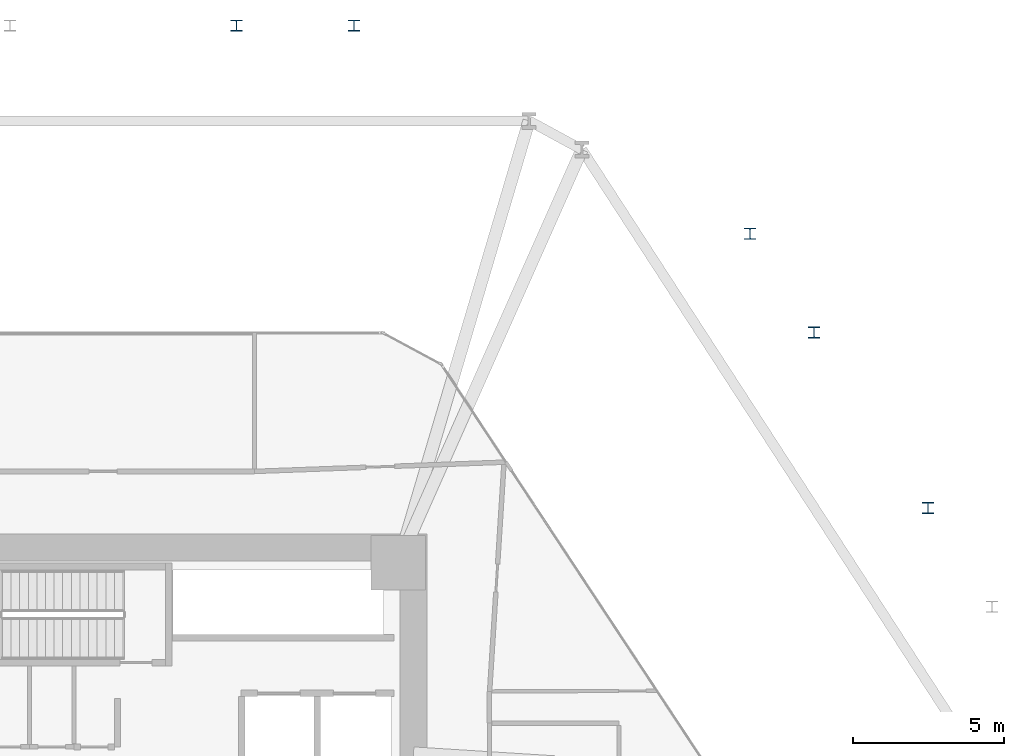
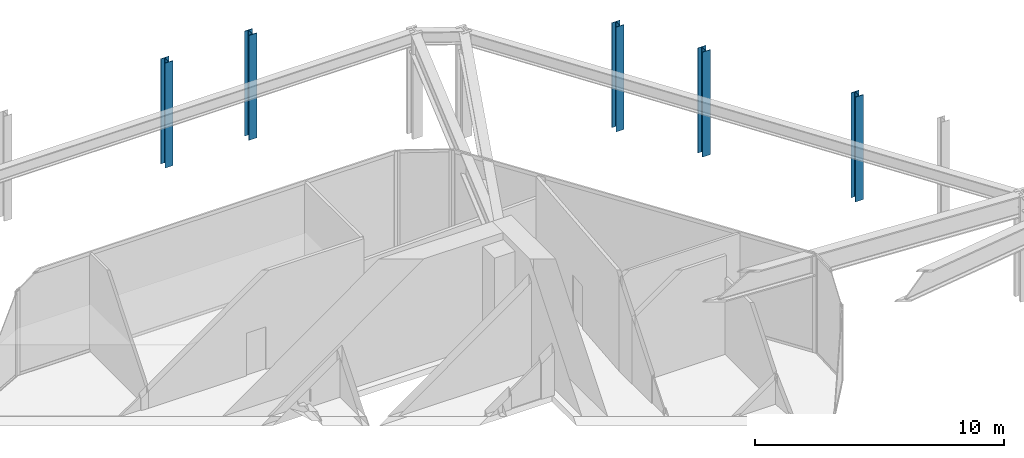
# One storey, part 4 of 16: 5 columns.
"""IFC4 building model written with IfcOpenShell, lengths in metres."""

import ifcopenshell
import ifcopenshell.guid

model = None  # the IFC model being written
_history = None  # IfcOwnerHistory: only IFC2X3 demands one
_inside = {}  # id of a spatial element -> (the spatial element, [elements in it])
_under = {}  # id of a project, library or spatial element -> (it, [spatial elements below it])
_declared = {}  # id of a project -> (the project, [libraries it declares])
_typed = {}  # id of a type object -> (the type object, [elements of that type])
_made_of = {}  # id of a material, layer set ... -> (it, [elements and type objects made of it])


def new_model(schema):
    """Start an empty IFC model of exactly this schema.

    Asked for "IFC4X3", IfcOpenShell would pick the latest addendum, in which some entities
    have other attributes; the version numbers below select the first issue.
    IFC2X3 requires an IfcOwnerHistory on every rooted entity: one is made here for all.
    """
    global model, _history
    if schema == "IFC4X3":
        model = ifcopenshell.file(schema_version=(4, 3, 0, 0))
    else:
        model = ifcopenshell.file(schema=schema)
    _inside.clear()
    _under.clear()
    _declared.clear()
    _typed.clear()
    _made_of.clear()
    _history = None
    if model.schema == "IFC2X3":
        org = make("IfcOrganization", Name="unknown")
        user = make(
            "IfcPersonAndOrganization",
            ThePerson=make("IfcPerson", FamilyName="unknown"),
            TheOrganization=org,
        )
        app = make(
            "IfcApplication",
            ApplicationDeveloper=org,
            Version="unknown",
            ApplicationFullName="unknown",
            ApplicationIdentifier="unknown",
        )
        _history = make(
            "IfcOwnerHistory",
            OwningUser=user,
            OwningApplication=app,
            ChangeAction="ADDED",
            CreationDate=0,
        )
    return model


def make(cls, **values):
    """One entity of the class cls with the attributes given. An attribute that is None is left unset."""
    return model.create_entity(
        cls, **{name: value for name, value in values.items() if value is not None}
    )


def rooted(cls, **values):
    """An entity with a GlobalId (a new one), such as an element, a storey or a relation."""
    return make(cls, GlobalId=ifcopenshell.guid.new(), OwnerHistory=_history, **values)


def si_unit(unit_type, name, prefix=None):
    """IfcSIUnit, for example si_unit("LENGTHUNIT", "METRE", prefix="MILLI")."""
    return make("IfcSIUnit", UnitType=unit_type, Prefix=prefix, Name=name)


def assignment(units):
    """IfcUnitAssignment: the units of a project."""
    return None if units is None else make("IfcUnitAssignment", Units=units)


def point(xyz):
    """IfcCartesianPoint."""
    return None if xyz is None else make("IfcCartesianPoint", Coordinates=xyz)


def direction(xyz):
    """IfcDirection."""
    return None if xyz is None else make("IfcDirection", DirectionRatios=xyz)


def frame(location, z_axis=None, x_axis=None):
    """IfcAxis2Placement3D, a coordinate frame: its origin and axes. An axis left out is left unset."""
    return make(
        "IfcAxis2Placement3D",
        Location=point(location),
        Axis=direction(z_axis),
        RefDirection=direction(x_axis),
    )


def frame_2d(location, x_axis=None):
    """IfcAxis2Placement2D, a coordinate frame in the plane: its origin and x axis."""
    return make(
        "IfcAxis2Placement2D", Location=point(location), RefDirection=direction(x_axis)
    )


def origin():
    """The frame at (0, 0, 0) with its axes left unset."""
    return frame((0.0, 0.0, 0.0))


def origin_2d():
    """The frame at (0, 0) in the plane with its x axis left unset."""
    return frame_2d((0.0, 0.0))


def place(relative_to, where):
    """IfcLocalPlacement: puts the frame where relative to a parent placement (None: the world)."""
    return make(
        "IfcLocalPlacement", PlacementRelTo=relative_to, RelativePlacement=where
    )


def context(
    kind, dimensions, precision=None, world=None, true_north=None, identifier=None
):
    """IfcGeometricRepresentationContext, for example the 3D "Model" context."""
    return make(
        "IfcGeometricRepresentationContext",
        ContextIdentifier=identifier,
        ContextType=kind,
        CoordinateSpaceDimension=dimensions,
        Precision=precision,
        WorldCoordinateSystem=world,
        TrueNorth=true_north,
    )


def subcontext(parent, identifier, kind, view, scale=None):
    """IfcGeometricRepresentationSubContext, for example "Body" below "Model"."""
    return make(
        "IfcGeometricRepresentationSubContext",
        ContextIdentifier=identifier,
        ContextType=kind,
        ParentContext=parent,
        TargetScale=scale,
        TargetView=view,
    )


def project(units=None, contexts=None):
    """IfcProject with its units and contexts."""
    return rooted(
        "IfcProject",
        Name="project",
        RepresentationContexts=contexts,
        UnitsInContext=assignment(units),
    )


def spatial(cls, under=None, at=None, **own):
    """A site, building, storey or space (cls), placed at a placement, below another one or the project."""
    s = rooted(cls, ObjectPlacement=at, **own)
    if under is not None:
        _under.setdefault(under.id(), (under, []))[1].append(s)
    return s


def profile(cls, at=None, kind="AREA", **sizes):
    """A parametric profile (cls). Its sizes go by their IFC names, for example OverallWidth=200.0."""
    return make(cls, ProfileType=kind, Position=at, **sizes)


def i_section(**sizes):
    """IfcIShapeProfileDef."""
    return profile("IfcIShapeProfileDef", **sizes)


def extrude(swept, where, along, depth):
    """IfcExtrudedAreaSolid: the profile swept, set in the frame where, extruded along a direction by depth."""
    return make(
        "IfcExtrudedAreaSolid",
        SweptArea=swept,
        Position=where,
        ExtrudedDirection=direction(along),
        Depth=depth,
    )


def shape(context_of_items, identifier, shape_type, items):
    """IfcShapeRepresentation: the items that make up one representation, for example the "Body"."""
    return make(
        "IfcShapeRepresentation",
        ContextOfItems=context_of_items,
        RepresentationIdentifier=identifier,
        RepresentationType=shape_type,
        Items=items,
    )


def source(mapping_origin, context_of_items, identifier, shape_type, items):
    """IfcRepresentationMap: a shape defined once, which mapped items show again and again."""
    return make(
        "IfcRepresentationMap",
        MappingOrigin=mapping_origin,
        MappedRepresentation=shape(context_of_items, identifier, shape_type, items),
    )


def transform(
    local_origin,
    x_axis=None,
    y_axis=None,
    z_axis=None,
    scale=None,
    scale2=None,
    scale3=None,
    uniform=True,
):
    """IfcCartesianTransformationOperator3D, or its non-uniform kind. x_axis, y_axis, z_axis: its Axis1, 2, 3."""
    if uniform:
        return make(
            "IfcCartesianTransformationOperator3D",
            Axis1=direction(x_axis),
            Axis2=direction(y_axis),
            LocalOrigin=point(local_origin),
            Scale=scale,
            Axis3=direction(z_axis),
        )
    return make(
        "IfcCartesianTransformationOperator3DnonUniform",
        Axis1=direction(x_axis),
        Axis2=direction(y_axis),
        LocalOrigin=point(local_origin),
        Scale=scale,
        Axis3=direction(z_axis),
        Scale2=scale2,
        Scale3=scale3,
    )


def mapped(mapping_source, mapping_target):
    """IfcMappedItem: shows the shape of a source again, moved by a transform."""
    return make(
        "IfcMappedItem", MappingSource=mapping_source, MappingTarget=mapping_target
    )


def material(Name=None, Category=None):
    """IfcMaterial."""
    return make("IfcMaterial", Name=Name, Category=Category)


def material_profile(
    of_material, cross_section, Name=None, Category=None, Priority=None
):
    """IfcMaterialProfile: a cross section and its material."""
    return make(
        "IfcMaterialProfile",
        Name=Name,
        Material=of_material,
        Profile=cross_section,
        Priority=Priority,
        Category=Category,
    )


def profile_set(profiles, Name=None, composite=None):
    """IfcMaterialProfileSet."""
    return make(
        "IfcMaterialProfileSet",
        Name=Name,
        MaterialProfiles=profiles,
        CompositeProfile=composite,
    )


def made_of(thing, what):
    """Note that an element or type object is made of a material, layer set ...; save() writes the relation."""
    if what is not None:
        _made_of.setdefault(what.id(), (what, []))[1].append(thing)
    return thing


def type_object(cls, material=None, **own):
    """A type object (cls), such as IfcWallType, which elements share."""
    return made_of(rooted(cls, **own), material)


def type_shapes(of_type, sources):
    """Give a type object the sources (RepresentationMaps) that its elements show as mapped items."""
    of_type.RepresentationMaps = sources


def element(
    cls,
    number,
    at=None,
    inside=None,
    cuts=None,
    type_object=None,
    material=None,
    context=None,
    identifier="Body",
    shape_type=None,
    held_by="IfcProductDefinitionShape",
    body=None,
    shapes=None,
    **own,
):
    """One element of the class cls, such as IfcWall. Its Tag is "e" and its number.

    at: its placement. inside: the storey or other place that contains it. cuts: it is an
    opening in that element (IfcRelVoidsElement). A single representation is given by context,
    identifier, shape_type and body (its items); several are given by shapes. held_by: the class
    of the entity that holds the representations. save() writes the other relations.
    """
    e = rooted(cls, Tag="e%d" % number, ObjectPlacement=at, **own)
    if body is not None:
        shapes = [shape(context, identifier, shape_type, body)]
    if shapes is not None:
        e.Representation = make(held_by, Representations=shapes)
    if inside is not None:
        _inside.setdefault(inside.id(), (inside, []))[1].append(e)
    if cuts is not None:
        rooted(
            "IfcRelVoidsElement", RelatingBuildingElement=cuts, RelatedOpeningElement=e
        )
    if type_object is not None:
        _typed.setdefault(type_object.id(), (type_object, []))[1].append(e)
    return made_of(e, material)


def aggregate(whole, parts):
    """IfcRelAggregates: a whole, such as a stair, and the parts it consists of."""
    return rooted("IfcRelAggregates", RelatingObject=whole, RelatedObjects=parts)


def save(model, path):
    """Write the relations noted so far, then the file.

    IfcRelAggregates (storeys below a building ...), IfcRelContainedInSpatialStructure (elements
    in a storey), IfcRelDefinesByType, IfcRelAssociatesMaterial and IfcRelDeclares: one each for
    every whole, place, type object, material and project.
    """
    for whole, parts in _under.values():
        aggregate(whole, parts)
    for where, things in _inside.values():
        rooted(
            "IfcRelContainedInSpatialStructure",
            RelatedElements=things,
            RelatingStructure=where,
        )
    for kind, things in _typed.values():
        rooted("IfcRelDefinesByType", RelatedObjects=things, RelatingType=kind)
    for what, things in _made_of.values():
        rooted("IfcRelAssociatesMaterial", RelatedObjects=things, RelatingMaterial=what)
    for by, libraries in _declared.values():
        rooted("IfcRelDeclares", RelatingContext=by, RelatedDefinitions=libraries)
    model.write(path)


model = new_model("IFC4")

# Units and contexts
model_context = context("Model", 3, precision=1e-05, world=origin(), true_north=direction((0.0, 1.0)))
body_context = subcontext(model_context, "Body", "Model", "MODEL_VIEW")
ifc_project = project(units=[si_unit("LENGTHUNIT", "METRE"), si_unit("AREAUNIT", "SQUARE_METRE"), si_unit("VOLUMEUNIT", "CUBIC_METRE"), si_unit("PLANEANGLEUNIT", "RADIAN"), si_unit("MASSUNIT", "GRAM", prefix="KILO")], contexts=[model_context])

# Site, building, storey
site_placement = place(None, origin())
site = spatial("IfcSite", under=ifc_project, at=site_placement, CompositionType="ELEMENT")
building_placement = place(site_placement, origin())
building = spatial("IfcBuilding", under=site, at=building_placement, Name="Durnholm Broadcast Tower", CompositionType="ELEMENT")
storey_placement = place(building_placement, frame((0.0, 0.0, 5.199951171875)))
storey = spatial("IfcBuildingStorey", under=building, at=storey_placement, Name="L01", CompositionType="ELEMENT", Elevation=5.199951171875)

# Columns
ifc_material = material(Name="Steel ASTM A992 Grade 50", Category="steel")
ifc_material_profile = material_profile(ifc_material, i_section(OverallWidth=0.37255859375, OverallDepth=0.367919921875, WebThickness=0.014892578125, FlangeThickness=0.02392578125, FilletRadius=0.030517578125, at=origin_2d()), Name="W14X120")
ifc_profile_set = profile_set([ifc_material_profile], Name="Steel ASTM A992 Grade 50")
column_type = type_object("IfcColumnType", Name="STL-SC-W14X120", PredefinedType="COLUMN", material=ifc_profile_set)
shared_shape = source(origin(), body_context, "Body", "SweptSolid", [
    extrude(i_section(OverallWidth=0.37255859375, OverallDepth=0.367919921875, WebThickness=0.014892578125, FlangeThickness=0.02392578125, FilletRadius=0.030517578125, at=origin_2d()), origin(), (0.0, 0.0, 1.0), 5.150146484375),
])
type_shapes(column_type, [shared_shape])
for number, where, z_axis, x_axis, name in (
    (1, (27.3046875, 9.6025390625, -0.300048828125), (0.0, 0.0, 1.0), (1.0, 0.0, 0.0), "L01 stand-off exoskeleton pilotis column F3.2"),
    (2, (23.541015625, 15.40576171875, -0.300048828125), (0.0, 0.0, 1.0), (1.0, 0.0, 0.0), "L01 stand-off exoskeleton pilotis column F3.3"),
    (3, (21.42529296875, 18.668212890625, -0.300048828125), (0.0, 0.0, 1.0), (1.0, 0.0, 0.0), "L01 stand-off exoskeleton pilotis column F3.4"),
    (4, (8.3330078125, 25.550048828125, -0.300048828125), (0.0, 0.0, 1.0), (1.0, 0.0, 0.0), "L01 stand-off exoskeleton pilotis column F4.1"),
    (5, (4.444580078125, 25.550048828125, -0.300048828125), (0.0, 0.0, 1.0), (1.0, 0.0, 0.0), "L01 stand-off exoskeleton pilotis column F4.2"),
):
    element("IfcColumn", number, at=place(storey_placement, frame(where, z_axis=z_axis, x_axis=x_axis)), inside=storey, type_object=column_type, Name=name, PredefinedType="COLUMN", context=body_context, shape_type="MappedRepresentation", body=[
        mapped(shared_shape, transform((0.0, 0.0, 0.0), x_axis=(1.0, 0.0, 0.0), y_axis=(0.0, 1.0, 0.0), z_axis=(0.0, 0.0, 1.0), scale=1.0)),
    ])

save(model, "model.ifc")
